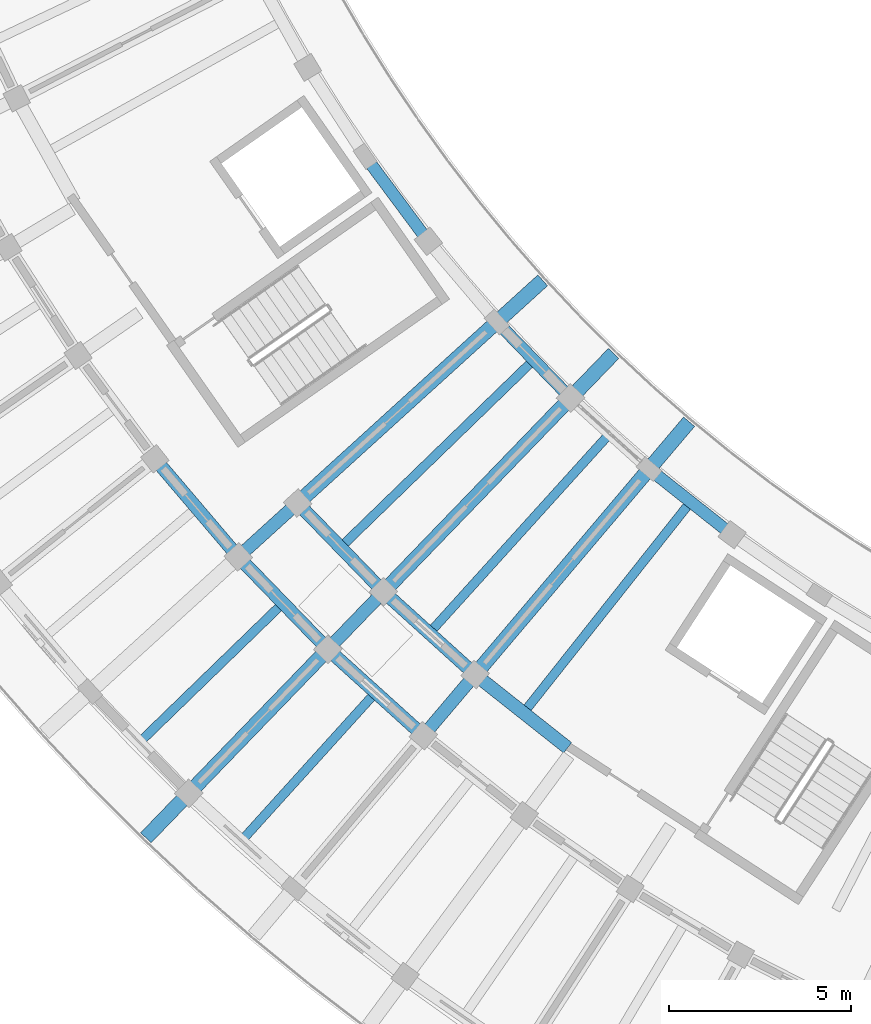
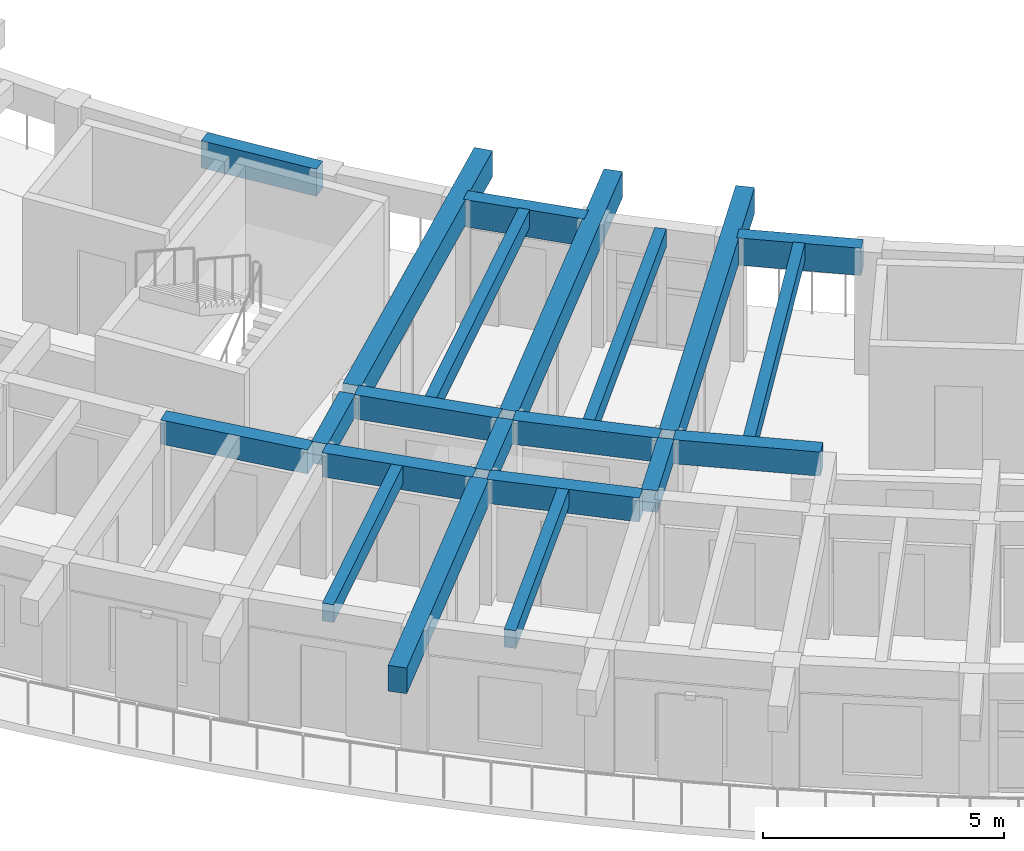
# One storey, part 6 of 78: 21 beams.
"""IFC4 building model written with IfcOpenShell, lengths in metres."""

from ifc_helpers import new_model, si_unit, direction, frame, origin, origin_2d, place, context, subcontext, project, spatial, rectangle, extrude, material, material_profile, profile_set, type_object, element, save


model = new_model("IFC4")

# Units and contexts
model_context = context("Model", 3, precision=1e-05, world=origin(), true_north=direction((0.0, 1.0)))
body_context = subcontext(model_context, "Body", "Model", "MODEL_VIEW")
ifc_project = project(units=[si_unit("LENGTHUNIT", "METRE"), si_unit("AREAUNIT", "SQUARE_METRE"), si_unit("VOLUMEUNIT", "CUBIC_METRE"), si_unit("PLANEANGLEUNIT", "RADIAN"), si_unit("MASSUNIT", "GRAM", prefix="KILO")], contexts=[model_context])

# Site, building, storey
site_placement = place(None, origin())
site = spatial("IfcSite", under=ifc_project, at=site_placement, CompositionType="ELEMENT")
building_placement = place(site_placement, origin())
building = spatial("IfcBuilding", under=site, at=building_placement, Name="Tanwirah Colonnade Gardens", CompositionType="ELEMENT")
storey_placement = place(building_placement, frame((0.0, 0.0, 22.280029296875)))
storey = spatial("IfcBuildingStorey", under=building, at=storey_placement, Name="L06", CompositionType="ELEMENT", Elevation=22.280029296875)

# Beams
ifc_material_1 = material(Name="Precast concrete C40/50", Category="concrete")
ifc_material_profile_1 = material_profile(ifc_material_1, rectangle(XDim=0.360107421875, YDim=0.610107421875, at=origin_2d()), Name="PC-BM 360x610")
ifc_profile_set_1 = profile_set([ifc_material_profile_1], Name="Precast concrete C40/50")
beam_type_1 = type_object("IfcBeamType", Name="BM-PC300", PredefinedType="BEAM", material=ifc_profile_set_1)
beam_1_placement = place(storey_placement, frame((22.797119140625, 30.73876953125, 2.804931640625), z_axis=(0.6478235549, -0.761790418499, 0.0), x_axis=(0.761790418499, 0.6478235549, 0.0)))
element("IfcBeam", 1, at=beam_1_placement, inside=storey, type_object=beam_type_1, Name="Block C L06 Circumferential Beam 6-R2", PredefinedType="BEAM", context=body_context, shape_type="SweptSolid", body=[
    extrude(rectangle(XDim=0.360107421875, YDim=0.610107421875, at=origin_2d()), origin(), (0.0, 0.0, 1.0), 3.23681640625),
])
beam_2_placement = place(storey_placement, frame((26.72412109375, 29.530029296875, 2.804931640625), z_axis=(0.696209937932, -0.71783822852, 0.0), x_axis=(0.71783822852, 0.696209937932, 0.0)))
element("IfcBeam", 2, at=beam_2_placement, inside=storey, type_object=beam_type_1, Name="Block C L06 Circumferential Beam 7-R1", PredefinedType="BEAM", context=body_context, shape_type="SweptSolid", body=[
    extrude(rectangle(XDim=0.360107421875, YDim=0.610107421875, at=origin_2d()), origin(), (0.0, 0.0, 1.0), 3.093017578125),
])
beam_3_placement = place(storey_placement, frame((25.095703125, 28.05078125, 2.804931640625), z_axis=(0.696238887656, -0.717810149911, 0.0), x_axis=(0.717810149911, 0.696238887656, 0.0)))
element("IfcBeam", 3, at=beam_3_placement, inside=storey, type_object=beam_type_1, Name="Block C L06 Circumferential Beam 7-R2", PredefinedType="BEAM", context=body_context, shape_type="SweptSolid", body=[
    extrude(rectangle(XDim=0.360107421875, YDim=0.610107421875, at=origin_2d()), origin(), (0.0, 0.0, 1.0), 3.23681640625),
])
beam_4_placement = place(storey_placement, frame((29.09326171875, 27.1015625, 2.804931640625), z_axis=(0.741698455559, -0.670733479873, 0.0), x_axis=(0.670733479873, 0.741698455559, 0.0)))
element("IfcBeam", 4, at=beam_4_placement, inside=storey, type_object=beam_type_1, Name="Block C L06 Circumferential Beam 8-R1", PredefinedType="BEAM", context=body_context, shape_type="SweptSolid", body=[
    extrude(rectangle(XDim=0.360107421875, YDim=0.610107421875, at=origin_2d()), origin(), (0.0, 0.0, 1.0), 3.0927734375),
])
beam_5_placement = place(storey_placement, frame((27.56494140625, 25.51904296875, 2.804931640625), z_axis=(0.741701929733, -0.670729638104, 0.0), x_axis=(0.670729638104, 0.741701929733, 0.0)))
element("IfcBeam", 5, at=beam_5_placement, inside=storey, type_object=beam_type_1, Name="Block C L06 Circumferential Beam 8-R2", PredefinedType="BEAM", context=body_context, shape_type="SweptSolid", body=[
    extrude(rectangle(XDim=0.360107421875, YDim=0.610107421875, at=origin_2d()), origin(), (0.0, 0.0, 1.0), 3.237060546875),
])
beam_6_placement = place(storey_placement, frame((31.615966796875, 24.833251953125, 2.804931640625), z_axis=(0.783962588163, -0.62080807047, 0.0), x_axis=(0.62080807047, 0.783962588163, 0.0)))
element("IfcBeam", 6, at=beam_6_placement, inside=storey, type_object=beam_type_1, Name="Block C L06 Circumferential Beam 9-R1", PredefinedType="BEAM", context=body_context, shape_type="SweptSolid", body=[
    extrude(rectangle(XDim=0.360107421875, YDim=0.610107421875, at=origin_2d()), origin(), (0.0, 0.0, 1.0), 3.093017578125),
])
ifc_material_profile_2 = material_profile(ifc_material_1, rectangle(XDim=0.35009765625, YDim=0.550048828125, at=origin_2d()), Name="PC-BM 350x550")
ifc_profile_set_2 = profile_set([ifc_material_profile_2], Name="Precast concrete C40/50")
beam_type_2 = type_object("IfcBeamType", Name="BM-PC350A", PredefinedType="BEAM", material=ifc_profile_set_2)
beam_7_placement = place(storey_placement, frame((26.508544921875, 29.536865234375, 2.8349609375), z_axis=(-0.740219127015, -0.672365707038, 0.0), x_axis=(0.672365707038, -0.740219127015, 0.0)))
element("IfcBeam", 7, at=beam_7_placement, inside=storey, type_object=beam_type_2, Name="Block C L06 Corridor Tie Beam 7", PredefinedType="BEAM", context=body_context, shape_type="SweptSolid", body=[
    extrude(rectangle(XDim=0.35009765625, YDim=0.550048828125, at=origin_2d()), origin(), (0.0, 0.0, 1.0), 1.899658203125),
])
beam_8_placement = place(storey_placement, frame((28.877685546875, 27.09423828125, 2.8349609375), z_axis=(-0.694663306685, -0.719335033448, 0.0), x_axis=(0.719335033448, -0.694663306685, 0.0)))
element("IfcBeam", 8, at=beam_8_placement, inside=storey, type_object=beam_type_2, Name="Block C L06 Corridor Tie Beam 8", PredefinedType="BEAM", context=body_context, shape_type="SweptSolid", body=[
    extrude(rectangle(XDim=0.35009765625, YDim=0.550048828125, at=origin_2d()), origin(), (0.0, 0.0, 1.0), 1.89990234375),
])
beam_9_placement = place(storey_placement, frame((31.401611328125, 24.81201171875, 2.8349609375), z_axis=(-0.646155325581, -0.763205932382, 0.0), x_axis=(0.763205932382, -0.646155325581, 0.0)))
element("IfcBeam", 9, at=beam_9_placement, inside=storey, type_object=beam_type_2, Name="Block C L06 Corridor Tie Beam 9", PredefinedType="BEAM", context=body_context, shape_type="SweptSolid", body=[
    extrude(rectangle(XDim=0.35009765625, YDim=0.550048828125, at=origin_2d()), origin(), (0.0, 0.0, 1.0), 1.900146484375),
])
ifc_material_2 = material(Name="Precast concrete C45/55", Category="concrete")
ifc_material_profile_3 = material_profile(ifc_material_2, rectangle(XDim=0.39990234375, YDim=0.64990234375, at=origin_2d()), Name="PC-BM 400x650")
ifc_profile_set_3 = profile_set([ifc_material_profile_3], Name="Precast concrete C45/55")
beam_type_3 = type_object("IfcBeamType", Name="BM-PC400", PredefinedType="BEAM", material=ifc_profile_set_3)
for number, where, z_axis, x_axis, name in (
    (10, (26.730712890625, 29.738525390625, 2.784912109375), (0.740212791446, 0.672372681911, 0.0), (-0.672372681911, 0.740212791446, 0.0), "Block C L06 Inner Radial Precast Girder 7"),
    (11, (29.086181640625, 27.31005859375, 2.784912109375), (0.694655848402, 0.719342235852, 0.0), (-0.719342235852, 0.694655848402, 0.0), "Block C L06 Inner Radial Precast Girder 8"),
):
    element("IfcBeam", number, at=place(storey_placement, frame(where, z_axis=z_axis, x_axis=x_axis)), inside=storey, type_object=beam_type_3, Name=name, PredefinedType="BEAM", context=body_context, shape_type="SweptSolid", body=[
        extrude(rectangle(XDim=0.39990234375, YDim=0.64990234375, at=origin_2d()), origin(), (0.0, 0.0, 1.0), 8.9501953125),
    ])
beam_10_placement = place(storey_placement, frame((27.349609375, 25.51171875, 2.784912109375), z_axis=(-0.69467114255, -0.719327466254, 0.0), x_axis=(0.719327466254, -0.69467114255, 0.0)))
element("IfcBeam", 12, at=beam_10_placement, inside=storey, type_object=beam_type_3, Name="Block C L06 Outer Radial Precast Girder 8", PredefinedType="BEAM", context=body_context, shape_type="SweptSolid", body=[
    extrude(rectangle(XDim=0.39990234375, YDim=0.64990234375, at=origin_2d()), origin(), (0.0, 0.0, 1.0), 7.050048828125),
])
beam_11_placement = place(storey_placement, frame((31.595458984375, 25.040771484375, 2.784912109375), z_axis=(0.64611097415, 0.763243479554, 0.0), x_axis=(-0.763243479554, 0.64611097415, 0.0)))
element("IfcBeam", 13, at=beam_11_placement, inside=storey, type_object=beam_type_3, Name="Block C L06 Inner Radial Precast Girder 9", PredefinedType="BEAM", context=body_context, shape_type="SweptSolid", body=[
    extrude(rectangle(XDim=0.39990234375, YDim=0.64990234375, at=origin_2d()), origin(), (0.0, 0.0, 1.0), 8.949951171875),
])
ifc_material_profile_4 = material_profile(ifc_material_1, rectangle(XDim=0.25, YDim=0.449951171875, at=origin_2d()), Name="PC-JST 250x450")
ifc_profile_set_4 = profile_set([ifc_material_profile_4], Name="Precast concrete C40/50")
beam_type_4 = type_object("IfcBeamType", Name="JST-PC250", PredefinedType="JOIST", material=ifc_profile_set_4)
beam_12_placement = place(storey_placement, frame((26.115478515625, 26.785400390625, 2.885009765625), z_axis=(-0.717816036263, -0.696232818878, 0.0), x_axis=(0.696232818878, -0.717816036263, 0.0)))
element("IfcBeam", 14, at=beam_12_placement, inside=storey, type_object=beam_type_4, Name="Block C L06 Precast Floor Joist 7", PredefinedType="JOIST", context=body_context, shape_type="SweptSolid", body=[
    extrude(rectangle(XDim=0.25, YDim=0.449951171875, at=origin_2d()), origin(), (0.0, 0.0, 1.0), 5.260009765625),
])
beam_13_placement = place(storey_placement, frame((33.006591796875, 33.46923828125, 2.885009765625), z_axis=(-0.717816218075, -0.69623263143, 0.0), x_axis=(0.69623263143, -0.717816218075, 0.0)))
element("IfcBeam", 15, at=beam_13_placement, inside=storey, type_object=beam_type_4, Name="Block C L06 Inner Precast Floor Joist 7", PredefinedType="JOIST", context=body_context, shape_type="SweptSolid", body=[
    extrude(rectangle(XDim=0.25, YDim=0.449951171875, at=origin_2d()), origin(), (0.0, 0.0, 1.0), 7.16015625),
])
beam_14_placement = place(storey_placement, frame((28.66552734375, 24.322998046875, 2.885009765625), z_axis=(-0.670780841255, -0.741655622918, 0.0), x_axis=(0.741655622918, -0.670780841255, 0.0)))
element("IfcBeam", 16, at=beam_14_placement, inside=storey, type_object=beam_type_4, Name="Block C L06 Precast Floor Joist 8", PredefinedType="JOIST", context=body_context, shape_type="SweptSolid", body=[
    extrude(rectangle(XDim=0.25, YDim=0.449951171875, at=origin_2d()), origin(), (0.0, 0.0, 1.0), 5.260009765625),
])
for number, where, z_axis, x_axis, name in (
    (17, (35.104736328125, 31.443115234375, 2.885009765625), (-0.670773136608, -0.741662591214, 0.0), (0.741662591214, -0.670773136608, 0.0), "Block C L06 Inner Precast Floor Joist 8"),
    (18, (37.33056640625, 29.55859375, 2.885009765625), (-0.620803379809, -0.783966302603, 0.0), (0.783966302603, -0.620803379809, 0.0), "Block C L06 Inner Precast Floor Joist 9"),
):
    element("IfcBeam", number, at=place(storey_placement, frame(where, z_axis=z_axis, x_axis=x_axis)), inside=storey, type_object=beam_type_4, Name=name, PredefinedType="JOIST", context=body_context, shape_type="SweptSolid", body=[
        extrude(rectangle(XDim=0.25, YDim=0.449951171875, at=origin_2d()), origin(), (0.0, 0.0, 1.0), 7.159912109375),
    ])
ifc_material_profile_5 = material_profile(ifc_material_1, rectangle(XDim=0.330078125, YDim=0.68994140625, at=origin_2d()), Name="PC-SP 330x690")
ifc_profile_set_5 = profile_set([ifc_material_profile_5], Name="Precast concrete C40/50")
beam_type_5 = type_object("IfcBeamType", Name="SP-PC280", PredefinedType="SPANDREL", material=ifc_profile_set_5)
beam_15_placement = place(storey_placement, frame((28.5673828125, 39.043212890625, 2.764892578125), z_axis=(0.596565220249, -0.802564600508, 0.0), x_axis=(0.802564600508, 0.596565220249, 0.0)))
element("IfcBeam", 19, at=beam_15_placement, inside=storey, type_object=beam_type_5, Name="Block C L06 Circumferential Beam 5-R0", PredefinedType="SPANDREL", context=body_context, shape_type="SweptSolid", body=[
    extrude(rectangle(XDim=0.330078125, YDim=0.68994140625, at=origin_2d()), origin(), (0.0, 0.0, 1.0), 2.6083984375),
])
for number, where, z_axis, x_axis, name in (
    (20, (32.20166015625, 34.505615234375, 2.764892578125), (0.696262751108, -0.717787002822, 0.0), (0.717787002822, 0.696262751108, 0.0), "Block C L06 Circumferential Beam 7-R0"),
    (21, (36.3974609375, 30.481201171875, 2.764892578125), (0.783945239852, -0.62082997746, 0.0), (0.62082997746, 0.783945239852, 0.0), "Block C L06 Circumferential Beam 9-R0"),
):
    element("IfcBeam", number, at=place(storey_placement, frame(where, z_axis=z_axis, x_axis=x_axis)), inside=storey, type_object=beam_type_5, Name=name, PredefinedType="SPANDREL", context=body_context, shape_type="SweptSolid", body=[
        extrude(rectangle(XDim=0.330078125, YDim=0.68994140625, at=origin_2d()), origin(), (0.0, 0.0, 1.0), 2.60888671875),
    ])

save(model, "model.ifc")
